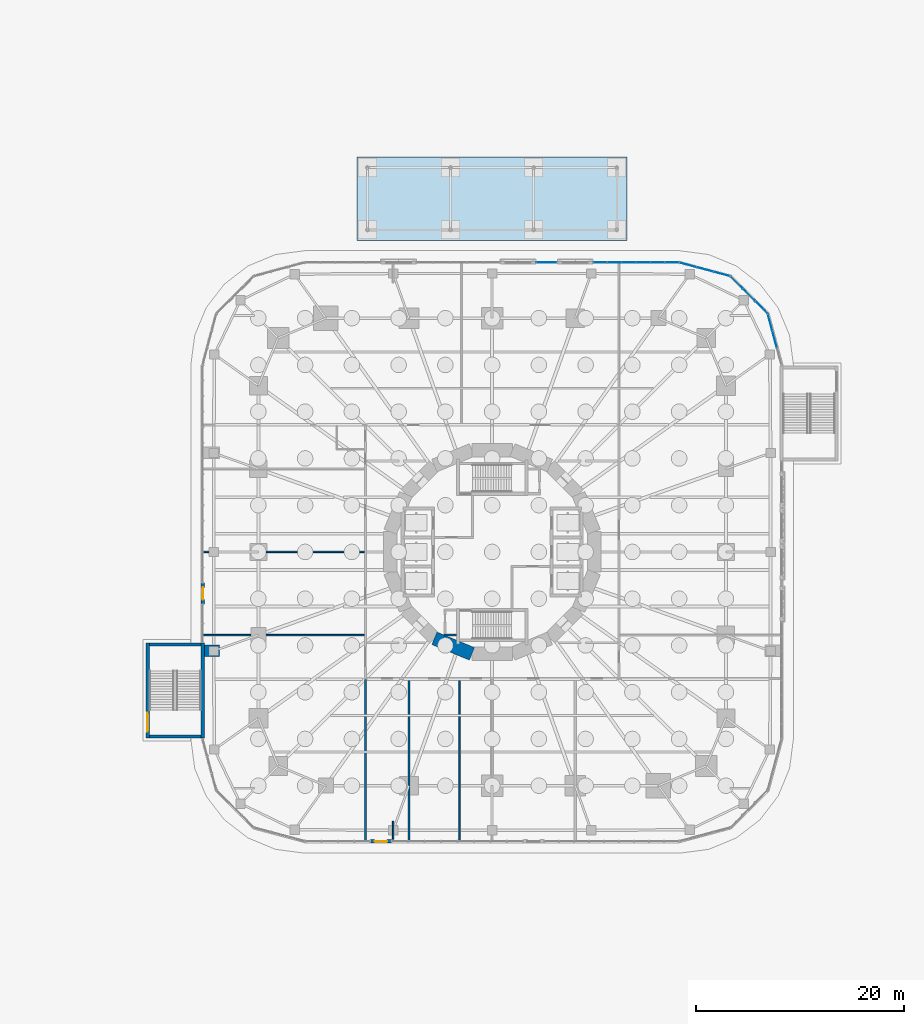
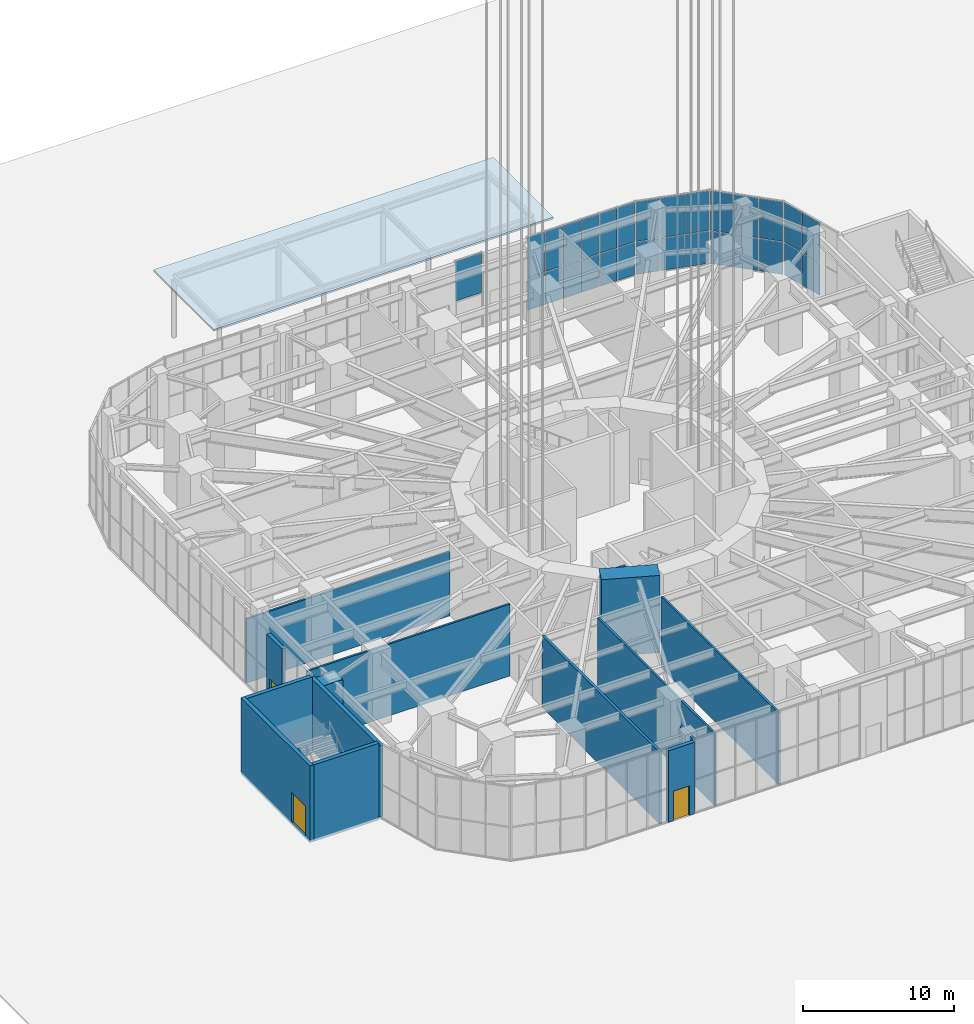
# One storey, part 25 of 43: 29 plates, 15 walls, 3 doors, 1 slab, 3 openings, 5 elements without a shape of their own.
"""IFC4 building model written with IfcOpenShell, lengths in metres."""

from ifc_helpers import new_model, si_unit, direction, frame, frame_2d, origin, origin_2d, place, context, subcontext, project, spatial, polyline, rectangle, outline, extrude, material, layer, layer_set, type_object, element, fill, aggregate, save


model = new_model("IFC4")

# Units and contexts
model_context = context("Model", 3, precision=1e-05, world=origin(), true_north=direction((0.0, 1.0)))
body_context = subcontext(model_context, "Body", "Model", "MODEL_VIEW")
ifc_project = project(units=[si_unit("LENGTHUNIT", "METRE"), si_unit("AREAUNIT", "SQUARE_METRE"), si_unit("VOLUMEUNIT", "CUBIC_METRE"), si_unit("PLANEANGLEUNIT", "RADIAN"), si_unit("MASSUNIT", "GRAM", prefix="KILO")], contexts=[model_context])

# Site, building, storey
site_placement = place(None, origin())
site = spatial("IfcSite", under=ifc_project, at=site_placement, CompositionType="ELEMENT")
building_placement = place(site_placement, origin())
building = spatial("IfcBuilding", under=site, at=building_placement, Name="Nakasero Lantern House", CompositionType="ELEMENT")
storey_placement = place(building_placement, origin())
storey = spatial("IfcBuildingStorey", under=building, at=storey_placement, Name="L00", CompositionType="ELEMENT", Elevation=0.0)

# Slab
ifc_material_1 = material(Name="Glass and aluminium 6063-T6", Category="aluminium")
ifc_layer_1 = layer(ifc_material_1, 0.14990234375)
ifc_layer_set_1 = layer_set([ifc_layer_1], Name="Canopy roof 150")
slab_type = type_object("IfcSlabType", Name="Canopy roof 150", PredefinedType="ROOF", material=ifc_layer_set_1)
slab_placement = place(storey_placement, frame((0.0, 0.0, 5.0)))
element("IfcSlab", 1, at=slab_placement, inside=storey, type_object=slab_type, Name="Entrance canopy roof", PredefinedType="ROOF", context=body_context, shape_type="SweptSolid", body=[
    extrude(outline(polyline([(-13.0, 30.0), (13.0, 30.0), (13.0, 38.0), (-13.0, 38.0), (-13.0, 30.0)])), origin(), (0.0, 0.0, 1.0), 0.14990234375),
])

# Curtain wall, plates
ifc_material_2 = material(Name="Aluminium 6063-T6 and glass", Category="aluminium")
curtain_wall_type = type_object("IfcCurtainWallType", Name="Podium shopfront glazing CW-1", PredefinedType="USERDEFINED", material=ifc_material_2)
curtain_wall_1_placement = place(storey_placement, origin())
curtain_wall_1 = element("IfcCurtainWall", 2, at=curtain_wall_1_placement, inside=storey, type_object=curtain_wall_type, Name="Curtain wall CW-1 L00", ObjectType="STICK CURTAIN WALL", PredefinedType="USERDEFINED")
ifc_material_3 = material(Name="Glass", Category="glass")
ifc_layer_2 = layer(ifc_material_3, 0.028076171875)
ifc_layer_set_2 = layer_set([ifc_layer_2], Name="Glazed panel CW-1")
plate_type = type_object("IfcPlateType", Name="Glazed panel CW-1", PredefinedType="CURTAIN_PANEL", material=ifc_layer_set_2)
plate_1_placement = place(storey_placement, frame((27.190185546875, 20.46240234375, 0.06005859375), z_axis=(0.0, 0.0, 1.0), x_axis=(-0.258819045153, 0.965925826276, 0.0)))
plate_1 = element("IfcPlate", 3, at=plate_1_placement, type_object=plate_type, Name="CW-1 panel 2.1", PredefinedType="CURTAIN_PANEL", context=body_context, shape_type="SweptSolid", body=[
    extrude(rectangle(XDim=1.6396484375, YDim=0.028076171875, at=origin_2d()), origin(), (0.0, 0.0, 1.0), 2.610107421875),
])
plate_2_placement = place(storey_placement, frame((27.190185546875, 20.46240234375, 2.72998046875), z_axis=(0.0, 0.0, 1.0), x_axis=(-0.258819045153, 0.965925826276, 0.0)))
plate_2 = element("IfcPlate", 4, at=plate_2_placement, type_object=plate_type, Name="CW-1 panel 2.2", PredefinedType="CURTAIN_PANEL", context=body_context, shape_type="SweptSolid", body=[
    extrude(rectangle(XDim=1.6396484375, YDim=0.028076171875, at=origin_2d()), origin(), (0.0, 0.0, 1.0), 3.2099609375),
])
plate_3_placement = place(storey_placement, frame((26.754150390625, 22.089599609375, 0.06005859375), z_axis=(0.0, 0.0, 1.0), x_axis=(-0.258819045153, 0.965925826276, 0.0)))
plate_3 = element("IfcPlate", 5, at=plate_3_placement, type_object=plate_type, Name="CW-1 panel 3.1", PredefinedType="CURTAIN_PANEL", context=body_context, shape_type="SweptSolid", body=[
    extrude(rectangle(XDim=1.609619140625, YDim=0.028076171875, at=origin_2d()), origin(), (0.0, 0.0, 1.0), 2.610107421875),
])
plate_4_placement = place(storey_placement, frame((26.754150390625, 22.089599609375, 2.72998046875), z_axis=(0.0, 0.0, 1.0), x_axis=(-0.258819045153, 0.965925826276, 0.0)))
plate_4 = element("IfcPlate", 6, at=plate_4_placement, type_object=plate_type, Name="CW-1 panel 3.2", PredefinedType="CURTAIN_PANEL", context=body_context, shape_type="SweptSolid", body=[
    extrude(rectangle(XDim=1.609619140625, YDim=0.028076171875, at=origin_2d()), origin(), (0.0, 0.0, 1.0), 3.2099609375),
])
aggregate(curtain_wall_1, [plate_1, plate_2, plate_3, plate_4])

curtain_wall_2_placement = place(storey_placement, origin())
curtain_wall_2 = element("IfcCurtainWall", 7, at=curtain_wall_2_placement, inside=storey, type_object=curtain_wall_type, Name="Curtain wall CW-1 L00", ObjectType="STICK CURTAIN WALL", PredefinedType="USERDEFINED")
plate_5_placement = place(storey_placement, frame((25.9189453125, 23.536376953125, 0.06005859375), z_axis=(0.0, 0.0, 1.0), x_axis=(-0.707106781187, 0.707106781187, 0.0)))
plate_5 = element("IfcPlate", 8, at=plate_5_placement, type_object=plate_type, Name="CW-1 panel 1.1", PredefinedType="CURTAIN_PANEL", context=body_context, shape_type="SweptSolid", body=[
    extrude(rectangle(XDim=1.609619140625, YDim=0.028076171875, at=origin_2d()), origin(), (0.0, 0.0, 1.0), 2.610107421875),
])
plate_6_placement = place(storey_placement, frame((25.9189453125, 23.536376953125, 2.72998046875), z_axis=(0.0, 0.0, 1.0), x_axis=(-0.707106781187, 0.707106781187, 0.0)))
plate_6 = element("IfcPlate", 9, at=plate_6_placement, type_object=plate_type, Name="CW-1 panel 1.2", PredefinedType="CURTAIN_PANEL", context=body_context, shape_type="SweptSolid", body=[
    extrude(rectangle(XDim=1.609619140625, YDim=0.028076171875, at=origin_2d()), origin(), (0.0, 0.0, 1.0), 3.2099609375),
])
plate_7_placement = place(storey_placement, frame((24.727783203125, 24.727783203125, 0.06005859375), z_axis=(0.0, 0.0, 1.0), x_axis=(-0.707106781187, 0.707106781187, 0.0)))
plate_7 = element("IfcPlate", 10, at=plate_7_placement, type_object=plate_type, Name="CW-1 panel 2.1", PredefinedType="CURTAIN_PANEL", context=body_context, shape_type="SweptSolid", body=[
    extrude(rectangle(XDim=1.6396484375, YDim=0.028076171875, at=origin_2d()), origin(), (0.0, 0.0, 1.0), 2.610107421875),
])
plate_8_placement = place(storey_placement, frame((24.727783203125, 24.727783203125, 2.72998046875), z_axis=(0.0, 0.0, 1.0), x_axis=(-0.707106781187, 0.707106781187, 0.0)))
plate_8 = element("IfcPlate", 11, at=plate_8_placement, type_object=plate_type, Name="CW-1 panel 2.2", PredefinedType="CURTAIN_PANEL", context=body_context, shape_type="SweptSolid", body=[
    extrude(rectangle(XDim=1.6396484375, YDim=0.028076171875, at=origin_2d()), origin(), (0.0, 0.0, 1.0), 3.2099609375),
])
plate_9_placement = place(storey_placement, frame((23.536376953125, 25.9189453125, 0.06005859375), z_axis=(0.0, 0.0, 1.0), x_axis=(-0.707106781187, 0.707106781187, 0.0)))
plate_9 = element("IfcPlate", 12, at=plate_9_placement, type_object=plate_type, Name="CW-1 panel 3.1", PredefinedType="CURTAIN_PANEL", context=body_context, shape_type="SweptSolid", body=[
    extrude(rectangle(XDim=1.609619140625, YDim=0.028076171875, at=origin_2d()), origin(), (0.0, 0.0, 1.0), 2.610107421875),
])
plate_10_placement = place(storey_placement, frame((23.536376953125, 25.9189453125, 2.72998046875), z_axis=(0.0, 0.0, 1.0), x_axis=(-0.707106781187, 0.707106781187, 0.0)))
plate_10 = element("IfcPlate", 13, at=plate_10_placement, type_object=plate_type, Name="CW-1 panel 3.2", PredefinedType="CURTAIN_PANEL", context=body_context, shape_type="SweptSolid", body=[
    extrude(rectangle(XDim=1.609619140625, YDim=0.028076171875, at=origin_2d()), origin(), (0.0, 0.0, 1.0), 3.2099609375),
])
aggregate(curtain_wall_2, [plate_5, plate_6, plate_7, plate_8, plate_9, plate_10])

curtain_wall_3_placement = place(storey_placement, origin())
curtain_wall_3 = element("IfcCurtainWall", 14, at=curtain_wall_3_placement, inside=storey, type_object=curtain_wall_type, Name="Curtain wall CW-1 L00", ObjectType="STICK CURTAIN WALL", PredefinedType="USERDEFINED")
plate_11_placement = place(storey_placement, frame((22.089599609375, 26.754150390625, 0.06005859375), z_axis=(0.0, 0.0, 1.0), x_axis=(-0.965925826276, 0.258819045153, 0.0)))
plate_11 = element("IfcPlate", 15, at=plate_11_placement, type_object=plate_type, Name="CW-1 panel 1.1", PredefinedType="CURTAIN_PANEL", context=body_context, shape_type="SweptSolid", body=[
    extrude(rectangle(XDim=1.609619140625, YDim=0.028076171875, at=origin_2d()), origin(), (0.0, 0.0, 1.0), 2.610107421875),
])
plate_12_placement = place(storey_placement, frame((22.089599609375, 26.754150390625, 2.72998046875), z_axis=(0.0, 0.0, 1.0), x_axis=(-0.965925826276, 0.258819045153, 0.0)))
plate_12 = element("IfcPlate", 16, at=plate_12_placement, type_object=plate_type, Name="CW-1 panel 1.2", PredefinedType="CURTAIN_PANEL", context=body_context, shape_type="SweptSolid", body=[
    extrude(rectangle(XDim=1.609619140625, YDim=0.028076171875, at=origin_2d()), origin(), (0.0, 0.0, 1.0), 3.2099609375),
])
plate_13_placement = place(storey_placement, frame((20.46240234375, 27.190185546875, 0.06005859375), z_axis=(0.0, 0.0, 1.0), x_axis=(-0.965925826276, 0.258819045153, 0.0)))
plate_13 = element("IfcPlate", 17, at=plate_13_placement, type_object=plate_type, Name="CW-1 panel 2.1", PredefinedType="CURTAIN_PANEL", context=body_context, shape_type="SweptSolid", body=[
    extrude(rectangle(XDim=1.6396484375, YDim=0.028076171875, at=origin_2d()), origin(), (0.0, 0.0, 1.0), 2.610107421875),
])
plate_14_placement = place(storey_placement, frame((20.46240234375, 27.190185546875, 2.72998046875), z_axis=(0.0, 0.0, 1.0), x_axis=(-0.965925826276, 0.258819045153, 0.0)))
plate_14 = element("IfcPlate", 18, at=plate_14_placement, type_object=plate_type, Name="CW-1 panel 2.2", PredefinedType="CURTAIN_PANEL", context=body_context, shape_type="SweptSolid", body=[
    extrude(rectangle(XDim=1.6396484375, YDim=0.028076171875, at=origin_2d()), origin(), (0.0, 0.0, 1.0), 3.2099609375),
])
plate_15_placement = place(storey_placement, frame((18.835205078125, 27.626220703125, 0.06005859375), z_axis=(0.0, 0.0, 1.0), x_axis=(-0.965925826276, 0.258819045153, 0.0)))
plate_15 = element("IfcPlate", 19, at=plate_15_placement, type_object=plate_type, Name="CW-1 panel 3.1", PredefinedType="CURTAIN_PANEL", context=body_context, shape_type="SweptSolid", body=[
    extrude(rectangle(XDim=1.609619140625, YDim=0.028076171875, at=origin_2d()), origin(), (0.0, 0.0, 1.0), 2.610107421875),
])
plate_16_placement = place(storey_placement, frame((18.835205078125, 27.626220703125, 2.72998046875), z_axis=(0.0, 0.0, 1.0), x_axis=(-0.965925826276, 0.258819045153, 0.0)))
plate_16 = element("IfcPlate", 20, at=plate_16_placement, type_object=plate_type, Name="CW-1 panel 3.2", PredefinedType="CURTAIN_PANEL", context=body_context, shape_type="SweptSolid", body=[
    extrude(rectangle(XDim=1.609619140625, YDim=0.028076171875, at=origin_2d()), origin(), (0.0, 0.0, 1.0), 3.2099609375),
])
aggregate(curtain_wall_3, [plate_11, plate_12, plate_13, plate_14, plate_15, plate_16])

curtain_wall_4_placement = place(storey_placement, origin())
curtain_wall_4 = element("IfcCurtainWall", 21, at=curtain_wall_4_placement, inside=storey, type_object=curtain_wall_type, Name="Curtain wall CW-1 L00", ObjectType="STICK CURTAIN WALL", PredefinedType="USERDEFINED")
plate_17_placement = place(storey_placement, frame((17.293212890625, 27.85009765625, 0.06005859375), z_axis=(0.0, 0.0, 1.0), x_axis=(-1.0, 0.0, 0.0)))
plate_17 = element("IfcPlate", 22, at=plate_17_placement, type_object=plate_type, Name="CW-1 panel 1.1", PredefinedType="CURTAIN_PANEL", context=body_context, shape_type="SweptSolid", body=[
    extrude(rectangle(XDim=1.293212890625, YDim=0.028076171875, at=origin_2d()), origin(), (0.0, 0.0, 1.0), 2.610107421875),
])
plate_18_placement = place(storey_placement, frame((17.293212890625, 27.85009765625, 2.72998046875), z_axis=(0.0, 0.0, 1.0), x_axis=(-1.0, 0.0, 0.0)))
plate_18 = element("IfcPlate", 23, at=plate_18_placement, type_object=plate_type, Name="CW-1 panel 1.2", PredefinedType="CURTAIN_PANEL", context=body_context, shape_type="SweptSolid", body=[
    extrude(rectangle(XDim=1.293212890625, YDim=0.028076171875, at=origin_2d()), origin(), (0.0, 0.0, 1.0), 3.2099609375),
])
plate_19_placement = place(storey_placement, frame((15.925048828125, 27.85009765625, 0.06005859375), z_axis=(0.0, 0.0, 1.0), x_axis=(-1.0, 0.0, 0.0)))
plate_19 = element("IfcPlate", 24, at=plate_19_placement, type_object=plate_type, Name="CW-1 panel 2.1", PredefinedType="CURTAIN_PANEL", context=body_context, shape_type="SweptSolid", body=[
    extrude(rectangle(XDim=1.3232421875, YDim=0.028076171875, at=origin_2d()), origin(), (0.0, 0.0, 1.0), 2.610107421875),
])
plate_20_placement = place(storey_placement, frame((15.925048828125, 27.85009765625, 2.72998046875), z_axis=(0.0, 0.0, 1.0), x_axis=(-1.0, 0.0, 0.0)))
plate_20 = element("IfcPlate", 25, at=plate_20_placement, type_object=plate_type, Name="CW-1 panel 2.2", PredefinedType="CURTAIN_PANEL", context=body_context, shape_type="SweptSolid", body=[
    extrude(rectangle(XDim=1.3232421875, YDim=0.028076171875, at=origin_2d()), origin(), (0.0, 0.0, 1.0), 3.2099609375),
])
plate_21_placement = place(storey_placement, frame((14.541748046875, 27.85009765625, 0.06005859375), z_axis=(0.0, 0.0, 1.0), x_axis=(-1.0, 0.0, 0.0)))
plate_21 = element("IfcPlate", 26, at=plate_21_placement, type_object=plate_type, Name="CW-1 panel 3.1", PredefinedType="CURTAIN_PANEL", context=body_context, shape_type="SweptSolid", body=[
    extrude(rectangle(XDim=1.3232421875, YDim=0.028076171875, at=origin_2d()), origin(), (0.0, 0.0, 1.0), 2.610107421875),
])
plate_22_placement = place(storey_placement, frame((14.541748046875, 27.85009765625, 2.72998046875), z_axis=(0.0, 0.0, 1.0), x_axis=(-1.0, 0.0, 0.0)))
plate_22 = element("IfcPlate", 27, at=plate_22_placement, type_object=plate_type, Name="CW-1 panel 3.2", PredefinedType="CURTAIN_PANEL", context=body_context, shape_type="SweptSolid", body=[
    extrude(rectangle(XDim=1.3232421875, YDim=0.028076171875, at=origin_2d()), origin(), (0.0, 0.0, 1.0), 3.2099609375),
])
plate_23_placement = place(storey_placement, frame((13.158447265625, 27.85009765625, 0.06005859375), z_axis=(0.0, 0.0, 1.0), x_axis=(-1.0, 0.0, 0.0)))
plate_23 = element("IfcPlate", 28, at=plate_23_placement, type_object=plate_type, Name="CW-1 panel 4.1", PredefinedType="CURTAIN_PANEL", context=body_context, shape_type="SweptSolid", body=[
    extrude(rectangle(XDim=1.3232421875, YDim=0.028076171875, at=origin_2d()), origin(), (0.0, 0.0, 1.0), 2.610107421875),
])
plate_24_placement = place(storey_placement, frame((13.158447265625, 27.85009765625, 2.72998046875), z_axis=(0.0, 0.0, 1.0), x_axis=(-1.0, 0.0, 0.0)))
plate_24 = element("IfcPlate", 29, at=plate_24_placement, type_object=plate_type, Name="CW-1 panel 4.2", PredefinedType="CURTAIN_PANEL", context=body_context, shape_type="SweptSolid", body=[
    extrude(rectangle(XDim=1.3232421875, YDim=0.028076171875, at=origin_2d()), origin(), (0.0, 0.0, 1.0), 3.2099609375),
])
plate_25_placement = place(storey_placement, frame((11.77490234375, 27.85009765625, 0.06005859375), z_axis=(0.0, 0.0, 1.0), x_axis=(-1.0, 0.0, 0.0)))
plate_25 = element("IfcPlate", 30, at=plate_25_placement, type_object=plate_type, Name="CW-1 panel 5.1", PredefinedType="CURTAIN_PANEL", context=body_context, shape_type="SweptSolid", body=[
    extrude(rectangle(XDim=1.3232421875, YDim=0.028076171875, at=origin_2d()), origin(), (0.0, 0.0, 1.0), 2.610107421875),
])
plate_26_placement = place(storey_placement, frame((11.77490234375, 27.85009765625, 2.72998046875), z_axis=(0.0, 0.0, 1.0), x_axis=(-1.0, 0.0, 0.0)))
plate_26 = element("IfcPlate", 31, at=plate_26_placement, type_object=plate_type, Name="CW-1 panel 5.2", PredefinedType="CURTAIN_PANEL", context=body_context, shape_type="SweptSolid", body=[
    extrude(rectangle(XDim=1.3232421875, YDim=0.028076171875, at=origin_2d()), origin(), (0.0, 0.0, 1.0), 3.2099609375),
])
plate_27_placement = place(storey_placement, frame((10.40673828125, 27.85009765625, 0.06005859375), z_axis=(0.0, 0.0, 1.0), x_axis=(-1.0, 0.0, 0.0)))
plate_27 = element("IfcPlate", 32, at=plate_27_placement, type_object=plate_type, Name="CW-1 panel 6.1", PredefinedType="CURTAIN_PANEL", context=body_context, shape_type="SweptSolid", body=[
    extrude(rectangle(XDim=1.293212890625, YDim=0.028076171875, at=origin_2d()), origin(), (0.0, 0.0, 1.0), 2.610107421875),
])
plate_28_placement = place(storey_placement, frame((10.40673828125, 27.85009765625, 2.72998046875), z_axis=(0.0, 0.0, 1.0), x_axis=(-1.0, 0.0, 0.0)))
plate_28 = element("IfcPlate", 33, at=plate_28_placement, type_object=plate_type, Name="CW-1 panel 6.2", PredefinedType="CURTAIN_PANEL", context=body_context, shape_type="SweptSolid", body=[
    extrude(rectangle(XDim=1.293212890625, YDim=0.028076171875, at=origin_2d()), origin(), (0.0, 0.0, 1.0), 3.2099609375),
])
aggregate(curtain_wall_4, [plate_17, plate_18, plate_19, plate_20, plate_21, plate_22, plate_23, plate_24, plate_25, plate_26, plate_27, plate_28])

# Curtain wall, plate
curtain_wall_5_placement = place(storey_placement, origin())
curtain_wall_5 = element("IfcCurtainWall", 34, at=curtain_wall_5_placement, inside=storey, type_object=curtain_wall_type, Name="Curtain wall CW-1 L00", ObjectType="STICK CURTAIN WALL", PredefinedType="USERDEFINED")
plate_29_placement = place(storey_placement, frame((5.25, 27.85009765625, 2.72998046875), z_axis=(0.0, 0.0, 1.0), x_axis=(-1.0, 0.0, 0.0)))
plate_29 = element("IfcPlate", 35, at=plate_29_placement, type_object=plate_type, Name="CW-1 panel 1.2", PredefinedType="CURTAIN_PANEL", context=body_context, shape_type="SweptSolid", body=[
    extrude(rectangle(XDim=1.97998046875, YDim=0.028076171875, at=origin_2d()), origin(), (0.0, 0.0, 1.0), 3.2099609375),
])
aggregate(curtain_wall_5, [plate_29])

# Walls
ifc_material_4 = material(Name="Blockwork", Category="masonry")
ifc_layer_3 = layer(ifc_material_4, 1.10009765625)
ifc_layer_set_3 = layer_set([ifc_layer_3], Name="Column pier 1100")
wall_type_1 = type_object("IfcWallType", Name="Column pier 1100", PredefinedType="PARTITIONING", material=ifc_layer_set_3)
wall_1_placement = place(storey_placement, frame((-26.25, -9.52880859375, 0.0), z_axis=(0.0, 0.0, 1.0), x_axis=(-1.0, 0.0, 0.0)))
element("IfcWall", 36, at=wall_1_placement, inside=storey, type_object=wall_type_1, Name="Column pier L00 PN2-03-4", PredefinedType="PARTITIONING", context=body_context, shape_type="SweptSolid", body=[
    extrude(rectangle(XDim=1.449951171875, YDim=1.10009765625, at=frame_2d((0.72509765625, 0.0))), origin(), (0.0, 0.0, 1.0), 5.800048828125),
])
ifc_material_5 = material(Name="Concrete C50/60", Category="concrete")
ifc_layer_4 = layer(ifc_material_5, 1.300048828125)
ifc_layer_set_4 = layer_set([ifc_layer_4], Name="Core wall 1300")
wall_type_2 = type_object("IfcWallType", Name="Core wall 1300", PredefinedType="SHEAR", material=ifc_layer_set_4)
wall_2_placement = place(storey_placement, frame((-5.5556640625, -8.314697265625, -0.25), z_axis=(0.0, 0.0, 1.0), x_axis=(0.923876507187, -0.382690736062, 0.0)))
element("IfcWall", 37, at=wall_2_placement, inside=storey, type_object=wall_type_2, Name="Core wall L00 facet 11", PredefinedType="SHEAR", context=body_context, shape_type="SweptSolid", body=[
    extrude(rectangle(XDim=3.90185546875, YDim=1.300048828125, at=frame_2d((1.950927734375, 0.0))), origin(), (0.0, 0.0, 1.0), 6.25),
])

# Wall, opening, door
ifc_material_6 = material(Name="Concrete C40/50", Category="concrete")
ifc_layer_5 = layer(ifc_material_6, 0.300048828125)
ifc_layer_set_5 = layer_set([ifc_layer_5], Name="Entrance portal wall 300")
wall_type_3 = type_object("IfcWallType", Name="Entrance portal wall 300", PredefinedType="SOLIDWALL", material=ifc_layer_set_5)
wall_3_placement = place(storey_placement, frame((-27.85009765625, -3.0, 0.0), z_axis=(0.0, 0.0, 1.0), x_axis=(0.0, -1.0, 0.0)))
wall_3 = element("IfcWall", 38, at=wall_3_placement, inside=storey, type_object=wall_type_3, Name="Entrance portal L00 1", PredefinedType="SOLIDWALL", context=body_context, shape_type="SweptSolid", body=[
    extrude(rectangle(XDim=2.0, YDim=0.300048828125, at=frame_2d((1.0, 0.0))), origin(), (0.0, 0.0, 1.0), 5.800048828125),
])
opening_1_placement = place(wall_3_placement, frame((0.39990234375, 0.0, 0.0)))
opening_1 = element("IfcOpeningElement", 39, at=opening_1_placement, cuts=wall_3, Name="Opening D09", PredefinedType="OPENING", context=body_context, shape_type="SweptSolid", body=[
    extrude(rectangle(XDim=1.199951171875, YDim=2.39990234375, at=frame_2d((0.60009765625, 1.199951171875))), frame((0.0, 0.169921875, 0.0), z_axis=(0.0, -1.0, 0.0), x_axis=(1.0, 0.0, 0.0)), (0.0, 0.0, 1.0), 0.340087890625),
])
ifc_material_7 = material(Name="Steel S355", Category="steel")
door_type_1 = type_object("IfcDoorType", Name="Service door 1200x2400", OperationType="SINGLE_SWING_LEFT", PredefinedType="DOOR", material=ifc_material_7)
door_1_placement = place(opening_1_placement, origin())
door_1 = element("IfcDoor", 40, at=door_1_placement, inside=storey, type_object=door_type_1, Name="External door L00 2-0", OperationType="SINGLE_SWING_LEFT", OverallHeight=2.39990234375, OverallWidth=1.199951171875, PredefinedType="DOOR", context=body_context, shape_type="SweptSolid", body=[
    extrude(rectangle(XDim=1.199951171875, YDim=2.39990234375, at=frame_2d((0.60009765625, 1.199951171875))), frame((0.0, 0.02490234375, 0.0), z_axis=(0.0, -1.0, 0.0), x_axis=(1.0, 0.0, 0.0)), (0.0, 0.0, 1.0), 0.050048828125),
])
fill(opening_1, door_1)

wall_4_placement = place(storey_placement, frame((-11.699951171875, -27.85009765625, 0.0), z_axis=(0.0, 0.0, 1.0), x_axis=(1.0, 0.0, 0.0)))
wall_4 = element("IfcWall", 41, at=wall_4_placement, inside=storey, type_object=wall_type_3, Name="Entrance portal L00 1", PredefinedType="SOLIDWALL", context=body_context, shape_type="SweptSolid", body=[
    extrude(rectangle(XDim=2.0, YDim=0.300048828125, at=frame_2d((1.0, 0.0))), origin(), (0.0, 0.0, 1.0), 5.800048828125),
])
opening_2_placement = place(wall_4_placement, frame((0.39990234375, 0.0, 0.0)))
opening_2 = element("IfcOpeningElement", 42, at=opening_2_placement, cuts=wall_4, Name="Opening D09", PredefinedType="OPENING", context=body_context, shape_type="SweptSolid", body=[
    extrude(rectangle(XDim=1.199951171875, YDim=2.39990234375, at=frame_2d((0.60009765625, 1.199951171875))), frame((0.0, 0.169921875, 0.0), z_axis=(0.0, -1.0, 0.0), x_axis=(1.0, 0.0, 0.0)), (0.0, 0.0, 1.0), 0.340087890625),
])
door_2_placement = place(opening_2_placement, origin())
door_2 = element("IfcDoor", 43, at=door_2_placement, inside=storey, type_object=door_type_1, Name="External door L00 3-0", OperationType="SINGLE_SWING_LEFT", OverallHeight=2.39990234375, OverallWidth=1.199951171875, PredefinedType="DOOR", context=body_context, shape_type="SweptSolid", body=[
    extrude(rectangle(XDim=1.199951171875, YDim=2.39990234375, at=frame_2d((0.60009765625, 1.199951171875))), frame((0.0, 0.02490234375, 0.0), z_axis=(0.0, -1.0, 0.0), x_axis=(1.0, 0.0, 0.0)), (0.0, 0.0, 1.0), 0.050048828125),
])
fill(opening_2, door_2)

# Walls
ifc_material_8 = material(Name="Blockwork", Category="masonry")
ifc_layer_6 = layer(ifc_material_8, 0.199951171875)
ifc_layer_set_6 = layer_set([ifc_layer_6], Name="Fire lobby wall 200")
wall_type_4 = type_object("IfcWallType", Name="Fire lobby wall 200", PredefinedType="PARTITIONING", material=ifc_layer_set_6)
wall_5_placement = place(storey_placement, frame((-3.449951171875, -8.0, 0.0), z_axis=(0.0, 0.0, 1.0), x_axis=(-1.0, 0.0, 0.0)))
element("IfcWall", 44, at=wall_5_placement, inside=storey, type_object=wall_type_4, Name="Fire lobby wall L00 W-RS2S", PredefinedType="PARTITIONING", context=body_context, shape_type="SweptSolid", body=[
    extrude(rectangle(XDim=1.199951171875, YDim=0.199951171875, at=frame_2d((0.60009765625, 0.0))), origin(), (0.0, 0.0, 1.0), 5.800048828125),
])
wall_6_placement = place(storey_placement, frame((-12.199951171875, -12.300048828125, 0.0), z_axis=(0.0, 0.0, 1.0), x_axis=(0.0, -1.0, 0.0)))
element("IfcWall", 45, at=wall_6_placement, inside=storey, type_object=wall_type_4, Name="Fire lobby wall L00 PW3-00", PredefinedType="PARTITIONING", context=body_context, shape_type="SweptSolid", body=[
    extrude(rectangle(XDim=15.550048828125, YDim=0.199951171875, at=frame_2d((7.77490234375, 0.0))), origin(), (0.0, 0.0, 1.0), 5.800048828125),
])
ifc_material_9 = material(Name="Blockwork", Category="masonry")
ifc_layer_7 = layer(ifc_material_9, 0.14990234375)
ifc_layer_set_7 = layer_set([ifc_layer_7], Name="Party wall 150")
wall_type_5 = type_object("IfcWallType", Name="Party wall 150", PredefinedType="PARTITIONING", material=ifc_layer_set_7)
wall_7_placement = place(storey_placement, frame((-12.300048828125, 0.0, 0.0), z_axis=(0.0, 0.0, 1.0), x_axis=(-1.0, 0.0, 0.0)))
element("IfcWall", 46, at=wall_7_placement, inside=storey, type_object=wall_type_5, Name="Party wall L00 PW2-02", PredefinedType="PARTITIONING", context=body_context, shape_type="SweptSolid", body=[
    extrude(rectangle(XDim=15.550048828125, YDim=0.14990234375, at=frame_2d((7.77490234375, 0.0))), origin(), (0.0, 0.0, 1.0), 5.187744140625),
])
wall_8_placement = place(storey_placement, frame((-12.300048828125, -8.0, 0.0), z_axis=(0.0, 0.0, 1.0), x_axis=(-1.0, 0.0, 0.0)))
element("IfcWall", 47, at=wall_8_placement, inside=storey, type_object=wall_type_5, Name="Party wall L00 PW2-03", PredefinedType="PARTITIONING", context=body_context, shape_type="SweptSolid", body=[
    extrude(rectangle(XDim=15.550048828125, YDim=0.14990234375, at=frame_2d((7.77490234375, 0.0))), origin(), (0.0, 0.0, 1.0), 5.800048828125),
])
wall_9_placement = place(storey_placement, frame((-9.52880859375, -25.89990234375, 0.0), z_axis=(0.0, 0.0, 1.0), x_axis=(0.0, -1.0, 0.0)))
element("IfcWall", 48, at=wall_9_placement, inside=storey, type_object=wall_type_5, Name="Party wall L00 PN3-00-2", PredefinedType="PARTITIONING", context=body_context, shape_type="SweptSolid", body=[
    extrude(rectangle(XDim=1.75, YDim=0.14990234375, at=frame_2d((0.875, 0.0))), origin(), (0.0, 0.0, 1.0), 5.800048828125),
])
for number, where, z_axis, x_axis, name in (
    (49, (-8.0, -12.300048828125, 0.0), (0.0, 0.0, 1.0), (0.0, -1.0, 0.0), "Party wall L00 PW3-01"),
    (50, (-3.1201171875, -12.300048828125, 0.0), (0.0, 0.0, 1.0), (0.0, -1.0, 0.0), "Party wall L00 PW3-02"),
):
    element("IfcWall", number, at=place(storey_placement, frame(where, z_axis=z_axis, x_axis=x_axis)), inside=storey, type_object=wall_type_5, Name=name, PredefinedType="PARTITIONING", context=body_context, shape_type="SweptSolid", body=[
        extrude(rectangle(XDim=15.550048828125, YDim=0.14990234375, at=frame_2d((7.77490234375, 0.0))), origin(), (0.0, 0.0, 1.0), 5.800048828125),
    ])
ifc_material_10 = material(Name="Concrete C32/40", Category="concrete")
ifc_layer_8 = layer(ifc_material_10, 0.300048828125)
ifc_layer_set_8 = layer_set([ifc_layer_8], Name="Stair enclosure wall 300")
wall_type_6 = type_object("IfcWallType", Name="Stair enclosure wall 300", PredefinedType="SOLIDWALL", material=ifc_layer_set_8)
wall_10_placement = place(storey_placement, frame((-27.85009765625, -8.75, 0.0), z_axis=(0.0, 0.0, 1.0), x_axis=(0.0, -1.0, 0.0)))
element("IfcWall", 51, at=wall_10_placement, inside=storey, type_object=wall_type_6, Name="Stair enclosure wall PS2 L00", PredefinedType="SOLIDWALL", context=body_context, shape_type="SweptSolid", body=[
    extrude(rectangle(XDim=9.14990234375, YDim=0.300048828125, at=frame_2d((4.574951171875, 0.0))), origin(), (0.0, 0.0, 1.0), 5.800048828125),
])

# Wall, opening, door
ifc_material_11 = material(Name="Concrete C32/40", Category="concrete")
ifc_layer_9 = layer(ifc_material_11, 0.300048828125)
ifc_layer_set_9 = layer_set([ifc_layer_9], Name="Stair tower wall 300")
wall_type_7 = type_object("IfcWallType", Name="Stair tower wall 300", PredefinedType="SOLIDWALL", material=ifc_layer_set_9)
wall_11_placement = place(storey_placement, frame((-33.14990234375, -8.75, -0.199951171875), z_axis=(0.0, 0.0, 1.0), x_axis=(0.0, -1.0, 0.0)))
wall_11 = element("IfcWall", 52, at=wall_11_placement, inside=storey, type_object=wall_type_7, Name="Escape stair tower wall PS2 L00 O", PredefinedType="SOLIDWALL", context=body_context, shape_type="SweptSolid", body=[
    extrude(rectangle(XDim=9.14990234375, YDim=0.300048828125, at=frame_2d((4.574951171875, 0.0))), origin(), (0.0, 0.0, 1.0), 6.199951171875),
])
opening_3_placement = place(wall_11_placement, frame((6.75, 0.0, 0.199951171875)))
opening_3 = element("IfcOpeningElement", 53, at=opening_3_placement, cuts=wall_11, Name="Opening DS2", PredefinedType="OPENING", context=body_context, shape_type="SweptSolid", body=[
    extrude(rectangle(XDim=1.800048828125, YDim=2.39990234375, at=frame_2d((0.89990234375, 1.199951171875))), frame((0.0, 0.169921875, 0.0), z_axis=(0.0, -1.0, 0.0), x_axis=(1.0, 0.0, 0.0)), (0.0, 0.0, 1.0), 0.340087890625),
])
ifc_material_12 = material(Name="Steel S355", Category="steel")
door_type_2 = type_object("IfcDoorType", Name="Stair exit doors 1800x2400", OperationType="DOUBLE_DOOR_SINGLE_SWING", PredefinedType="DOOR", material=ifc_material_12)
door_3_placement = place(opening_3_placement, frame((1.800048828125, 0.0, 0.0), z_axis=(0.0, 0.0, 1.0), x_axis=(-1.0, 0.0, 0.0)))
door_3 = element("IfcDoor", 54, at=door_3_placement, inside=storey, type_object=door_type_2, Name="Stair final exit PS2", OperationType="DOUBLE_DOOR_SINGLE_SWING", OverallHeight=2.39990234375, OverallWidth=1.800048828125, PredefinedType="DOOR", context=body_context, shape_type="SweptSolid", body=[
    extrude(rectangle(XDim=1.800048828125, YDim=2.39990234375, at=frame_2d((0.89990234375, 1.199951171875))), frame((0.0, 0.02490234375, 0.0), z_axis=(0.0, -1.0, 0.0), x_axis=(1.0, 0.0, 0.0)), (0.0, 0.0, 1.0), 0.050048828125),
])
fill(opening_3, door_3)

# Walls
for number, where, z_axis, x_axis, name in (
    (55, (-28.0, -8.89990234375, -0.199951171875), (0.0, 0.0, 1.0), (-1.0, 0.0, 0.0), "Escape stair tower wall PS2 L00 S"),
    (56, (-28.0, -17.75, -0.199951171875), (0.0, 0.0, 1.0), (-1.0, 0.0, 0.0), "Escape stair tower wall PS2 L00 N"),
):
    element("IfcWall", number, at=place(storey_placement, frame(where, z_axis=z_axis, x_axis=x_axis)), inside=storey, type_object=wall_type_7, Name=name, PredefinedType="SOLIDWALL", context=body_context, shape_type="SweptSolid", body=[
        extrude(rectangle(XDim=5.0, YDim=0.300048828125, at=frame_2d((2.5, 0.0))), origin(), (0.0, 0.0, 1.0), 6.199951171875),
    ])

save(model, "model.ifc")
